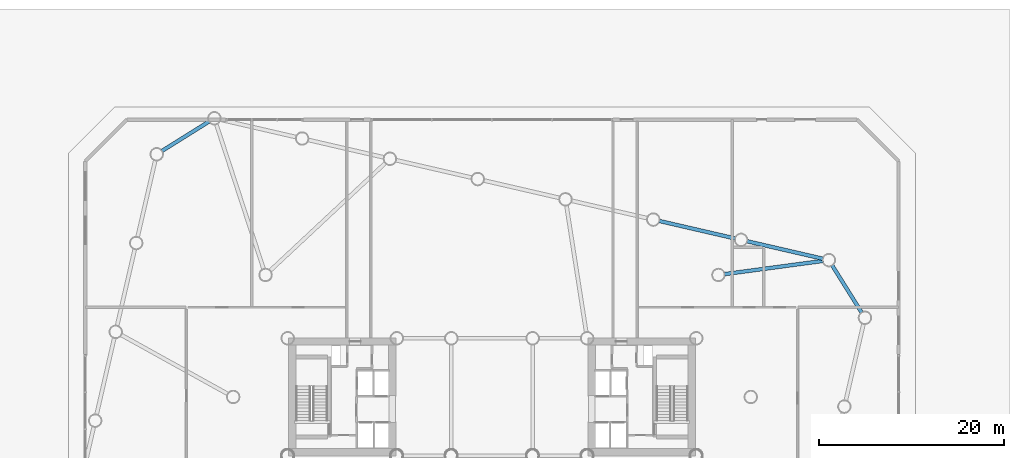
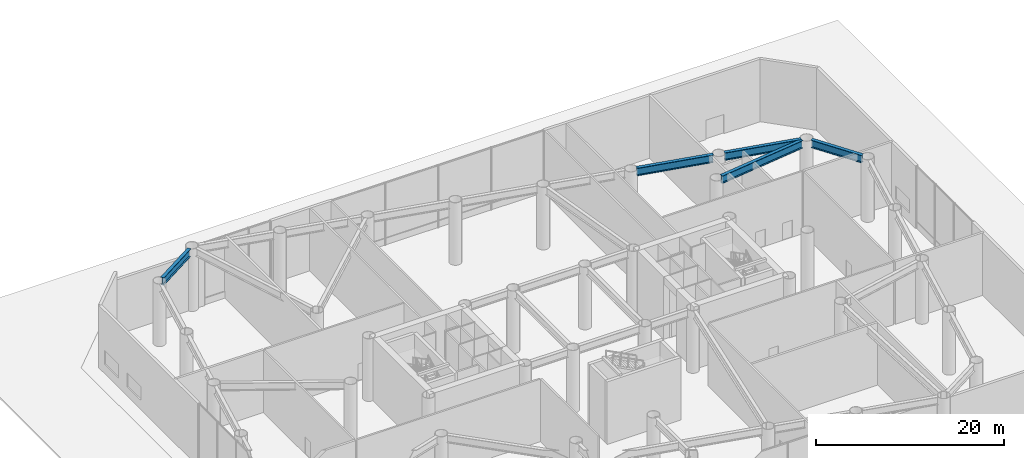
# One storey, part 16 of 28: 5 beams.
"""IFC4 building model written with IfcOpenShell, lengths in metres."""

from ifc_helpers import new_model, si_unit, direction, frame, origin, origin_2d, place, context, subcontext, project, spatial, i_section, extrude, material, material_profile, profile_set, type_object, element, save


model = new_model("IFC4")

# Units and contexts
model_context = context("Model", 3, precision=1e-05, world=origin(), true_north=direction((0.0, 1.0)))
body_context = subcontext(model_context, "Body", "Model", "MODEL_VIEW")
ifc_project = project(units=[si_unit("LENGTHUNIT", "METRE"), si_unit("AREAUNIT", "SQUARE_METRE"), si_unit("VOLUMEUNIT", "CUBIC_METRE"), si_unit("PLANEANGLEUNIT", "RADIAN"), si_unit("MASSUNIT", "GRAM", prefix="KILO")], contexts=[model_context])

# Site, building, storey
site_placement = place(None, origin())
site = spatial("IfcSite", under=ifc_project, at=site_placement, CompositionType="ELEMENT")
building_placement = place(site_placement, origin())
building = spatial("IfcBuilding", under=site, at=building_placement, Name="Tavrogorsk Clinical Tower", CompositionType="ELEMENT")
storey_placement = place(building_placement, origin())
storey = spatial("IfcBuildingStorey", under=building, at=storey_placement, Name="L00", CompositionType="ELEMENT", Elevation=0.0)

# Beams
ifc_material = material(Name="Structural steel S440", Category="steel")
ifc_material_profile = material_profile(ifc_material, i_section(OverallWidth=0.39990234375, OverallDepth=1.0, WebThickness=0.028076171875, FlangeThickness=0.044921875, at=origin_2d()), Name="DK-1000x400x28x45")
ifc_profile_set = profile_set([ifc_material_profile], Name="Structural steel S440")
beam_type = type_object("IfcBeamType", Name="TransferGirder_DK1000", PredefinedType="USERDEFINED", material=ifc_profile_set)
beam_1_placement = place(storey_placement, frame((40.019775390625, 9.09521484375, 7.60009765625), z_axis=(-0.529919973676, 0.848047652847, 0.0), x_axis=(-0.848047652847, -0.529919973676, 0.0)))
element("IfcBeam", 1, at=beam_1_placement, inside=storey, type_object=beam_type, Name="L00 Perimeter Stilt Ring Girder E5-N1", ObjectType="GIRDER", PredefinedType="USERDEFINED", context=body_context, shape_type="SweptSolid", body=[
    extrude(i_section(OverallWidth=0.39990234375, OverallDepth=1.0, WebThickness=0.028076171875, FlangeThickness=0.044921875, at=origin_2d()), origin(), (0.0, 0.0, 1.0), 6.114013671875),
])
beam_2_placement = place(storey_placement, frame((35.84716796875, 14.945556640625, 7.60009765625), z_axis=(-0.974375234474, 0.224928660788, 0.0), x_axis=(-0.224928660788, -0.974375234474, 0.0)))
element("IfcBeam", 2, at=beam_2_placement, inside=storey, type_object=beam_type, Name="L00 Perimeter Stilt Ring Girder N1-N2", ObjectType="GIRDER", PredefinedType="USERDEFINED", context=body_context, shape_type="SweptSolid", body=[
    extrude(i_section(OverallWidth=0.39990234375, OverallDepth=1.0, WebThickness=0.028076171875, FlangeThickness=0.044921875, at=origin_2d()), origin(), (0.0, 0.0, 1.0), 8.508544921875),
])
beam_3_placement = place(storey_placement, frame((26.348388671875, 17.138427734375, 7.60009765625), z_axis=(-0.974367493424, 0.224962191844, 0.0), x_axis=(-0.224962191844, -0.974367493424, 0.0)))
element("IfcBeam", 3, at=beam_3_placement, inside=storey, type_object=beam_type, Name="L00 Perimeter Stilt Ring Girder N2-N3", ObjectType="GIRDER", PredefinedType="USERDEFINED", context=body_context, shape_type="SweptSolid", body=[
    extrude(i_section(OverallWidth=0.39990234375, OverallDepth=1.0, WebThickness=0.028076171875, FlangeThickness=0.044921875, at=origin_2d()), origin(), (0.0, 0.0, 1.0), 8.50830078125),
])
beam_4_placement = place(storey_placement, frame((-30.5654296875, 29.828125, 7.60009765625), z_axis=(-0.848047652847, -0.529919973676, 0.0), x_axis=(0.529919973676, -0.848047652847, 0.0)))
element("IfcBeam", 4, at=beam_4_placement, inside=storey, type_object=beam_type, Name="L00 Perimeter Stilt Ring Girder N8-W1", ObjectType="GIRDER", PredefinedType="USERDEFINED", context=body_context, shape_type="SweptSolid", body=[
    extrude(i_section(OverallWidth=0.39990234375, OverallDepth=1.0, WebThickness=0.028076171875, FlangeThickness=0.044921875, at=origin_2d()), origin(), (0.0, 0.0, 1.0), 6.114013671875),
])
beam_5_placement = place(storey_placement, frame((25.114501953125, 13.282470703125, 7.60009765625), z_axis=(0.991090989459, 0.133186525645, 0.0), x_axis=(-0.133186525645, 0.991090989459, 0.0)))
element("IfcBeam", 5, at=beam_5_placement, inside=storey, type_object=beam_type, Name="L00 Radial Podium Girder N1", ObjectType="GIRDER", PredefinedType="USERDEFINED", context=body_context, shape_type="SweptSolid", body=[
    extrude(i_section(OverallWidth=0.39990234375, OverallDepth=1.0, WebThickness=0.028076171875, FlangeThickness=0.044921875, at=origin_2d()), origin(), (0.0, 0.0, 1.0), 10.81884765625),
])

save(model, "model.ifc")
